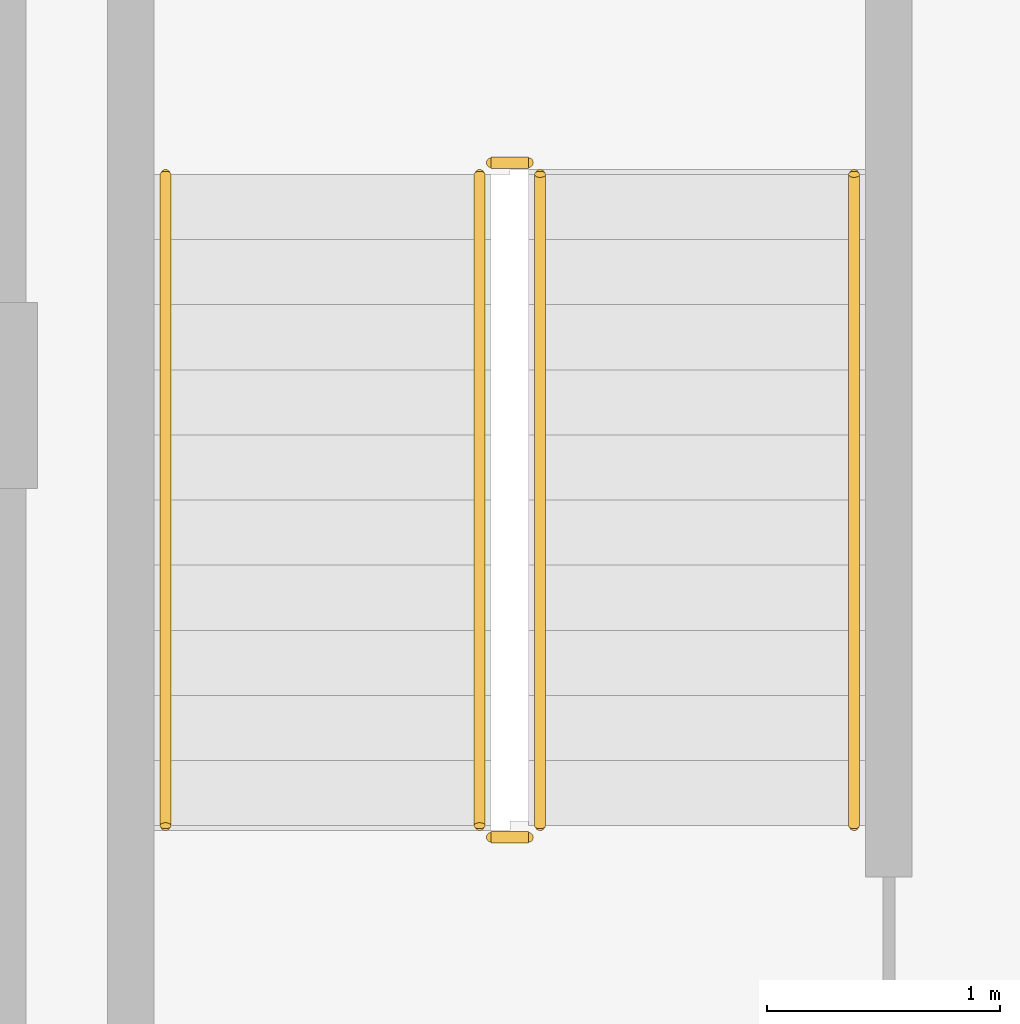
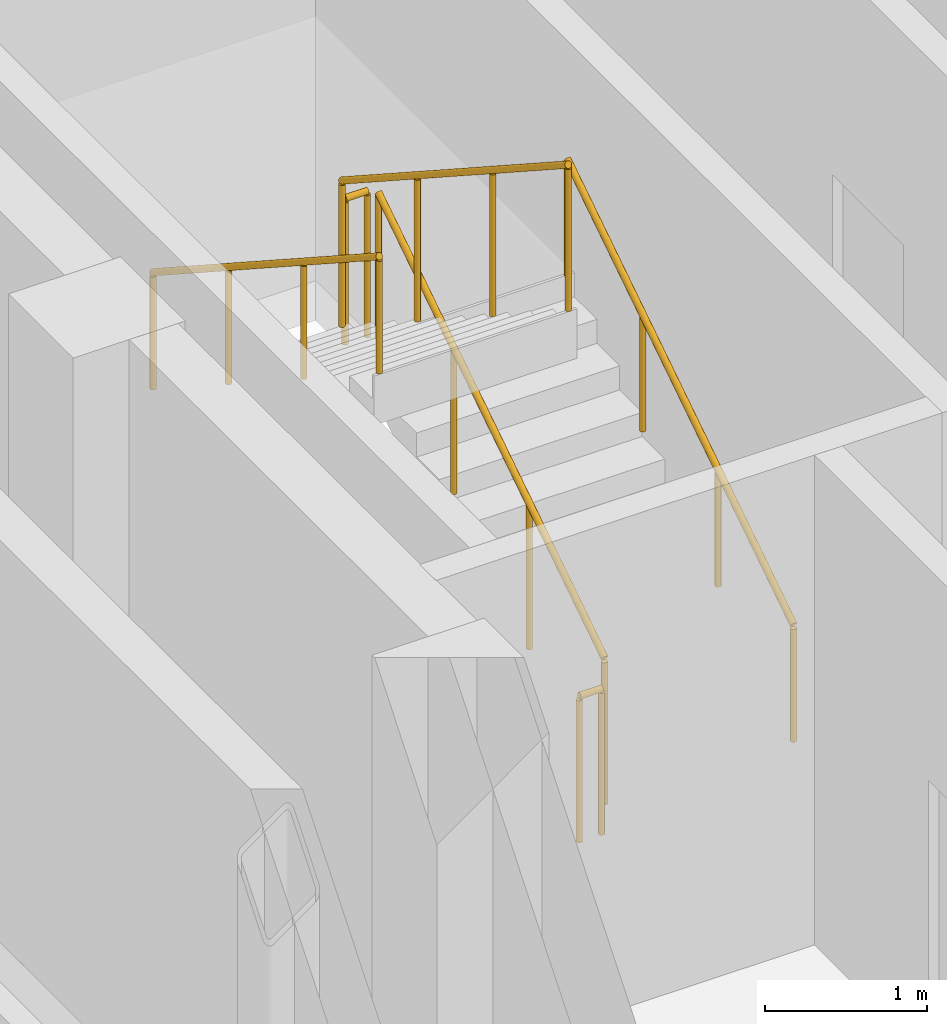
# One storey, part 8 of 10: 6 railings.
"""IFC4 building model written with IfcOpenShell, lengths in metres."""

from ifc_helpers import new_model, si_unit, direction, frame, origin, origin_2d, place, context, subcontext, project, spatial, circle, extrude, material, type_object, element, save


model = new_model("IFC4")

# Units and contexts
model_context = context("Model", 3, precision=1e-05, world=origin(), true_north=direction((0.0, 1.0)))
body_context = subcontext(model_context, "Body", "Model", "MODEL_VIEW")
ifc_project = project(units=[si_unit("LENGTHUNIT", "METRE"), si_unit("AREAUNIT", "SQUARE_METRE"), si_unit("VOLUMEUNIT", "CUBIC_METRE"), si_unit("PLANEANGLEUNIT", "RADIAN"), si_unit("MASSUNIT", "GRAM", prefix="KILO")], contexts=[model_context])

# Site, building, storey
site_placement = place(None, origin())
site = spatial("IfcSite", under=ifc_project, at=site_placement, CompositionType="ELEMENT")
building_placement = place(site_placement, origin())
building = spatial("IfcBuilding", under=site, at=building_placement, Name="Nuvemarco Arch Tower", CompositionType="ELEMENT")
storey_placement = place(building_placement, frame((0.0, 0.0, 303.14990234375)))
storey = spatial("IfcBuildingStorey", under=building, at=storey_placement, Name="L80", CompositionType="ELEMENT", Elevation=303.14990234375)

# Railings
ifc_material_1 = material(Name="Brushed stainless steel handrail", Category="steel")
railing_type_1 = type_object("IfcRailingType", Name="RL-HANDRAIL-900", PredefinedType="HANDRAIL", material=ifc_material_1)
railing_1_placement = place(storey_placement, frame((-13.590087890625, 2.64990234375, 0.181884765625)))
element("IfcRailing", 1, at=railing_1_placement, inside=storey, type_object=railing_type_1, Name="L80 ST-1 stair handrail 1", PredefinedType="HANDRAIL", context=body_context, shape_type="SweptSolid", body=[
    extrude(circle(Radius=0.02392578125, at=origin_2d()), frame((0.0, 0.0, 0.8759765625), z_axis=(0.0, 0.838705829183, 0.544584733623), x_axis=(-1.0, 0.0, 0.0)), (0.0, 0.0, 1.0), 3.338623046875),
    extrude(circle(Radius=0.02099609375, at=origin_2d()), origin(), (0.0, 0.0, 1.0), 0.851806640625),
    extrude(circle(Radius=0.02099609375, at=origin_2d()), frame((0.0, 0.933349609375, 0.60595703125)), (0.0, 0.0, 1.0), 0.851806640625),
    extrude(circle(Radius=0.02099609375, at=origin_2d()), frame((0.0, 1.86669921875, 1.212158203125)), (0.0, 0.0, 1.0), 0.851806640625),
    extrude(circle(Radius=0.02099609375, at=origin_2d()), frame((0.0, 2.800048828125, 1.818115234375)), (0.0, 0.0, 1.0), 0.851806640625),
])
railing_2_placement = place(storey_placement, frame((-16.550048828125, 5.449951171875, 2.181884765625)))
element("IfcRailing", 2, at=railing_2_placement, inside=storey, type_object=railing_type_1, Name="L80 ST-1 stair handrail 2", PredefinedType="HANDRAIL", context=body_context, shape_type="SweptSolid", body=[
    extrude(circle(Radius=0.02392578125, at=origin_2d()), frame((0.0, 0.0, 0.8759765625), z_axis=(0.0, -0.838705829183, 0.544584733623), x_axis=(1.0, 0.0, 0.0)), (0.0, 0.0, 1.0), 3.338623046875),
    extrude(circle(Radius=0.02099609375, at=origin_2d()), origin(), (0.0, 0.0, 1.0), 0.851806640625),
    extrude(circle(Radius=0.02099609375, at=origin_2d()), frame((0.0, -0.933349609375, 0.60595703125)), (0.0, 0.0, 1.0), 0.851806640625),
    extrude(circle(Radius=0.02099609375, at=origin_2d()), frame((0.0, -1.86669921875, 1.212158203125)), (0.0, 0.0, 1.0), 0.851806640625),
    extrude(circle(Radius=0.02099609375, at=origin_2d()), frame((0.0, -2.800048828125, 1.818115234375)), (0.0, 0.0, 1.0), 0.851806640625),
])
ifc_material_2 = material(Name="Painted balustrade steel S355", Category="steel")
railing_type_2 = type_object("IfcRailingType", Name="RL-STAIR-GUARD", PredefinedType="GUARDRAIL", material=ifc_material_2)
railing_3_placement = place(storey_placement, frame((-14.93994140625, 2.64990234375, 0.181884765625)))
element("IfcRailing", 3, at=railing_3_placement, inside=storey, type_object=railing_type_2, Name="L80 ST-1 stair guard 1", PredefinedType="GUARDRAIL", context=body_context, shape_type="SweptSolid", body=[
    extrude(circle(Radius=0.02392578125, at=origin_2d()), frame((0.0, 0.0, 1.09619140625), z_axis=(0.0, 0.838705829183, 0.544584733623), x_axis=(-1.0, 0.0, 0.0)), (0.0, 0.0, 1.0), 3.338623046875),
    extrude(circle(Radius=0.02099609375, at=origin_2d()), origin(), (0.0, 0.0, 1.0), 1.072021484375),
    extrude(circle(Radius=0.02099609375, at=origin_2d()), frame((0.0, 0.933349609375, 0.60595703125)), (0.0, 0.0, 1.0), 1.072021484375),
    extrude(circle(Radius=0.02099609375, at=origin_2d()), frame((0.0, 1.86669921875, 1.212158203125)), (0.0, 0.0, 1.0), 1.072021484375),
    extrude(circle(Radius=0.02099609375, at=origin_2d()), frame((0.0, 2.800048828125, 1.818115234375)), (0.0, 0.0, 1.0), 1.072021484375),
])
railing_4_placement = place(storey_placement, frame((-14.989990234375, 5.5, 2.0)))
element("IfcRailing", 4, at=railing_4_placement, inside=storey, type_object=railing_type_2, Name="L80 ST-1 stair guard 2", PredefinedType="GUARDRAIL", context=body_context, shape_type="SweptSolid", body=[
    extrude(circle(Radius=0.02392578125, at=origin_2d()), frame((0.0, 0.0, 1.09619140625), z_axis=(-1.0, 0.0, 0.0), x_axis=(0.0, -1.0, 0.0)), (0.0, 0.0, 1.0), 0.159912109375),
    extrude(circle(Radius=0.02099609375, at=origin_2d()), origin(), (0.0, 0.0, 1.0), 1.072021484375),
    extrude(circle(Radius=0.02099609375, at=origin_2d()), frame((-0.159912109375, 0.0, 0.0)), (0.0, 0.0, 1.0), 1.072021484375),
])
railing_5_placement = place(storey_placement, frame((-15.199951171875, 5.449951171875, 2.181884765625)))
element("IfcRailing", 5, at=railing_5_placement, inside=storey, type_object=railing_type_2, Name="L80 ST-1 stair guard 3", PredefinedType="GUARDRAIL", context=body_context, shape_type="SweptSolid", body=[
    extrude(circle(Radius=0.02392578125, at=origin_2d()), frame((0.0, 0.0, 1.09619140625), z_axis=(0.0, -0.838705829183, 0.544584733623), x_axis=(1.0, 0.0, 0.0)), (0.0, 0.0, 1.0), 3.338623046875),
    extrude(circle(Radius=0.02099609375, at=origin_2d()), origin(), (0.0, 0.0, 1.0), 1.072021484375),
    extrude(circle(Radius=0.02099609375, at=origin_2d()), frame((0.0, -0.933349609375, 0.60595703125)), (0.0, 0.0, 1.0), 1.072021484375),
    extrude(circle(Radius=0.02099609375, at=origin_2d()), frame((0.0, -1.86669921875, 1.212158203125)), (0.0, 0.0, 1.0), 1.072021484375),
    extrude(circle(Radius=0.02099609375, at=origin_2d()), frame((0.0, -2.800048828125, 1.818115234375)), (0.0, 0.0, 1.0), 1.072021484375),
])
railing_6_placement = place(storey_placement, frame((-14.989990234375, 2.60009765625, 0.0)))
element("IfcRailing", 6, at=railing_6_placement, inside=storey, type_object=railing_type_2, Name="L80 ST-1 stair guard 4", PredefinedType="GUARDRAIL", context=body_context, shape_type="SweptSolid", body=[
    extrude(circle(Radius=0.02392578125, at=origin_2d()), frame((0.0, 0.0, 1.09619140625), z_axis=(-1.0, 0.0, 0.0), x_axis=(0.0, -1.0, 0.0)), (0.0, 0.0, 1.0), 0.159912109375),
    extrude(circle(Radius=0.02099609375, at=origin_2d()), origin(), (0.0, 0.0, 1.0), 1.072021484375),
    extrude(circle(Radius=0.02099609375, at=origin_2d()), frame((-0.159912109375, 0.0, 0.0)), (0.0, 0.0, 1.0), 1.072021484375),
])

save(model, "model.ifc")
